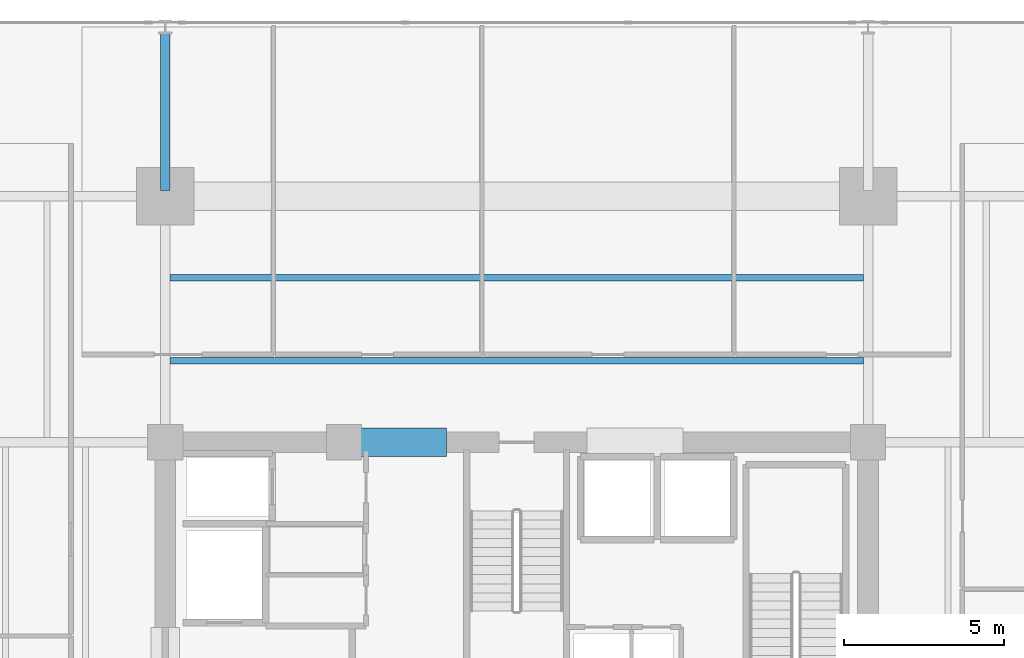
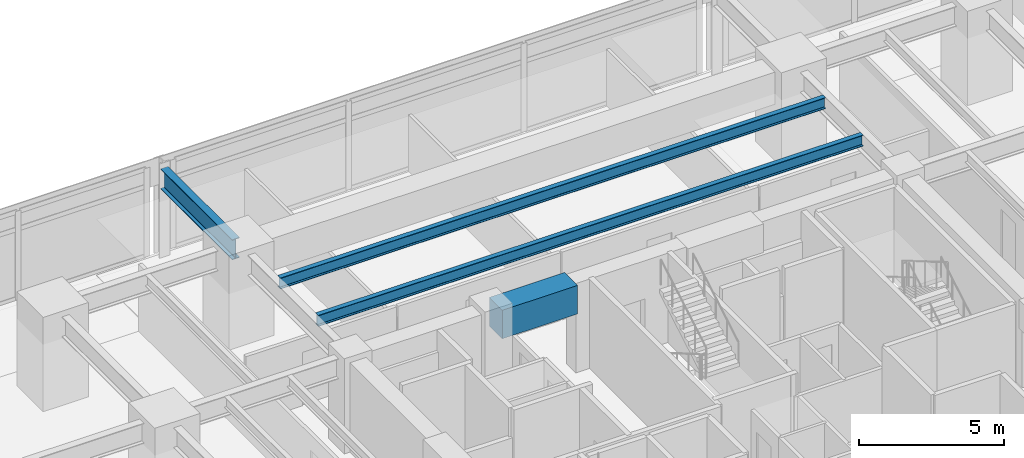
# One storey, part 7 of 22: 4 beams.
"""IFC4 building model written with IfcOpenShell, lengths in metres."""

from ifc_helpers import new_model, si_unit, direction, frame, origin, origin_2d, place, context, subcontext, project, spatial, rectangle, i_section, extrude, material, material_profile, profile_set, type_object, element, save


model = new_model("IFC4")

# Units and contexts
model_context = context("Model", 3, precision=1e-05, world=origin(), true_north=direction((0.0, 1.0)))
body_context = subcontext(model_context, "Body", "Model", "MODEL_VIEW")
ifc_project = project(units=[si_unit("LENGTHUNIT", "METRE"), si_unit("AREAUNIT", "SQUARE_METRE"), si_unit("VOLUMEUNIT", "CUBIC_METRE"), si_unit("PLANEANGLEUNIT", "RADIAN"), si_unit("MASSUNIT", "GRAM", prefix="KILO")], contexts=[model_context])

# Site, building, storey
site_placement = place(None, origin())
site = spatial("IfcSite", under=ifc_project, at=site_placement, CompositionType="ELEMENT")
building_placement = place(site_placement, origin())
building = spatial("IfcBuilding", under=site, at=building_placement, Name="Kovane Verandah Tower", CompositionType="ELEMENT")
storey_placement = place(building_placement, frame((0.0, 0.0, 51.60009765625)))
storey = spatial("IfcBuildingStorey", under=building, at=storey_placement, Name="L11", CompositionType="ELEMENT", Elevation=51.60009765625)

# Beams
ifc_material_1 = material(Name="Concrete C80/95", Category="concrete")
ifc_material_profile_1 = material_profile(ifc_material_1, rectangle(XDim=0.89990234375, YDim=1.199951171875, at=origin_2d()), Name="RCB900x1200")
ifc_profile_set_1 = profile_set([ifc_material_profile_1], Name="Concrete C80/95")
beam_type_1 = type_object("IfcBeamType", Name="BM-LINTEL-900x1200", PredefinedType="LINTEL", material=ifc_profile_set_1)
beam_1_placement = place(storey_placement, frame((34.800048828125, 36.5, 3.159912109375), z_axis=(1.0, 0.0, 0.0), x_axis=(0.0, 1.0, 0.0)))
element("IfcBeam", 1, at=beam_1_placement, inside=storey, type_object=beam_type_1, Name="L11 Core Coupling Lintel CL-N1", PredefinedType="LINTEL", context=body_context, shape_type="SweptSolid", body=[
    extrude(rectangle(XDim=0.89990234375, YDim=1.199951171875, at=origin_2d()), origin(), (0.0, 0.0, 1.0), 3.0),
])
ifc_material_2 = material(Name="Steel S355", Category="steel")
ifc_material_profile_2 = material_profile(ifc_material_2, i_section(OverallWidth=0.293701171875, OverallDepth=0.850830078125, WebThickness=0.01611328125, FlangeThickness=0.02685546875, FilletRadius=0.017822265625, at=origin_2d()), Name="UB838x292x226")
ifc_profile_set_2 = profile_set([ifc_material_profile_2], Name="Steel S355")
beam_type_2 = type_object("IfcBeamType", Name="BM-UB838x226", PredefinedType="BEAM", material=ifc_profile_set_2)
beam_2_placement = place(storey_placement, frame((29.0, 44.3798828125, 3.33447265625), z_axis=(0.0, 1.0, 0.0), x_axis=(-1.0, 0.0, 0.0)))
element("IfcBeam", 2, at=beam_2_placement, inside=storey, type_object=beam_type_2, Name="L11 Primary Tower Girder G-VN1", PredefinedType="BEAM", context=body_context, shape_type="SweptSolid", body=[
    extrude(i_section(OverallWidth=0.293701171875, OverallDepth=0.850830078125, WebThickness=0.01611328125, FlangeThickness=0.02685546875, FilletRadius=0.017822265625, at=origin_2d()), origin(), (0.0, 0.0, 1.0), 4.940185546875),
])
ifc_material_profile_3 = material_profile(ifc_material_2, i_section(OverallWidth=0.19287109375, OverallDepth=0.46728515625, WebThickness=0.011474609375, FlangeThickness=0.01953125, FilletRadius=0.01025390625, at=origin_2d()), Name="UB457x191x98")
ifc_profile_set_3 = profile_set([ifc_material_profile_3], Name="Steel S355")
beam_type_3 = type_object("IfcBeamType", Name="JST-UB457x98", PredefinedType="JOIST", material=ifc_profile_set_3)
for number, where, z_axis, x_axis, name in (
    (3, (29.14501953125, 39.050048828125, 3.5263671875), (1.0, 0.0, 0.0), (0.0, 1.0, 0.0), "L11 Secondary Composite Joist J-N1"),
    (4, (29.14501953125, 41.64990234375, 3.5263671875), (1.0, 0.0, 0.0), (0.0, 1.0, 0.0), "L11 Secondary Composite Joist J-N2"),
):
    element("IfcBeam", number, at=place(storey_placement, frame(where, z_axis=z_axis, x_axis=x_axis)), inside=storey, type_object=beam_type_3, Name=name, PredefinedType="JOIST", context=body_context, shape_type="SweptSolid", body=[
        extrude(i_section(OverallWidth=0.19287109375, OverallDepth=0.46728515625, WebThickness=0.011474609375, FlangeThickness=0.01953125, FilletRadius=0.01025390625, at=origin_2d()), origin(), (0.0, 0.0, 1.0), 21.7099609375),
    ])

save(model, "model.ifc")
